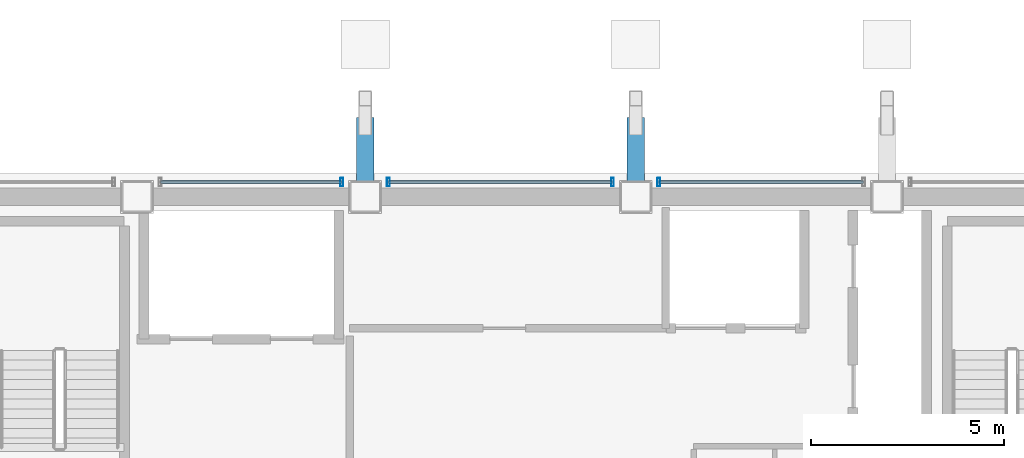
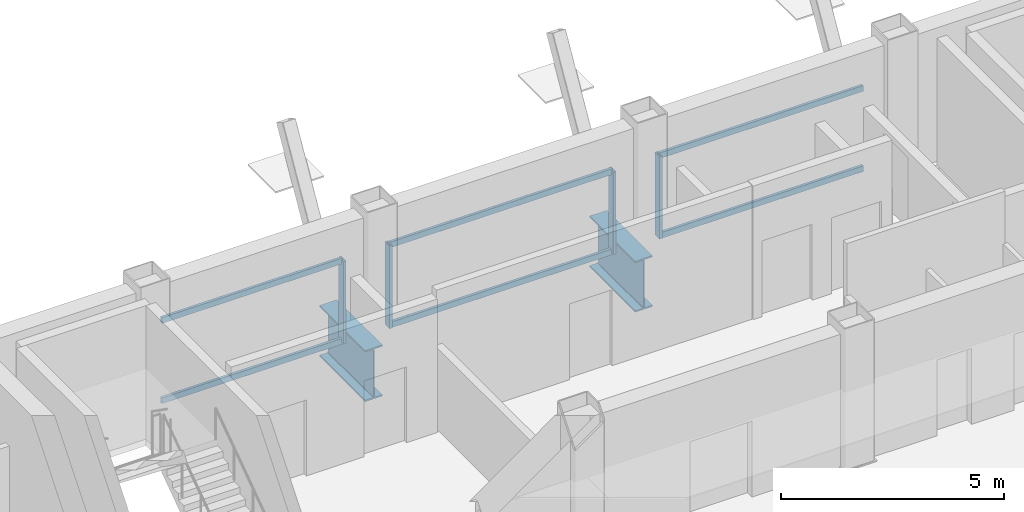
# One storey, part 9 of 16: 10 members, 2 beams, 3 elements without a shape of their own.
"""IFC4 building model written with IfcOpenShell, lengths in metres."""

from ifc_helpers import new_model, si_unit, direction, frame, origin, origin_2d, place, context, subcontext, project, spatial, hollow_rectangle, i_section, extrude, material, material_profile, profile_set, type_object, element, aggregate, save


model = new_model("IFC4")

# Units and contexts
model_context = context("Model", 3, precision=1e-05, world=origin(), true_north=direction((0.0, 1.0)))
body_context = subcontext(model_context, "Body", "Model", "MODEL_VIEW")
ifc_project = project(units=[si_unit("LENGTHUNIT", "METRE"), si_unit("AREAUNIT", "SQUARE_METRE"), si_unit("VOLUMEUNIT", "CUBIC_METRE"), si_unit("PLANEANGLEUNIT", "RADIAN"), si_unit("MASSUNIT", "GRAM", prefix="KILO")], contexts=[model_context])

# Site, building, storey
site_placement = place(None, origin())
site = spatial("IfcSite", under=ifc_project, at=site_placement, CompositionType="ELEMENT")
building_placement = place(site_placement, origin())
building = spatial("IfcBuilding", under=site, at=building_placement, Name="Noeulbin Bourse Tower", CompositionType="ELEMENT")
storey_placement = place(building_placement, frame((0.0, 0.0, 254.0)))
storey = spatial("IfcBuildingStorey", under=building, at=storey_placement, Name="L63", CompositionType="ELEMENT", Elevation=254.0)

# Beams
ifc_material_1 = material(Name="Steel S460", Category="steel")
ifc_material_profile_1 = material_profile(ifc_material_1, i_section(OverallWidth=0.449951171875, OverallDepth=1.39990234375, WebThickness=0.02392578125, FlangeThickness=0.0400390625, FilletRadius=0.02392578125, at=origin_2d()), Name="PG-1400x450x24x40", Category="LoadBearing")
ifc_profile_set_1 = profile_set([ifc_material_profile_1], Name="Steel S460")
beam_type = type_object("IfcBeamType", Name="BM-TRF-1400", PredefinedType="USERDEFINED", material=ifc_profile_set_1)
for number, where, z_axis, x_axis, name in (
    (1, (24.0, 38.300048828125, -0.8798828125), (0.0, 1.0, 0.0), (-1.0, 0.0, 0.0), "Transfer Outrigger Corbel L63-02"),
    (2, (31.0, 38.300048828125, -0.8798828125), (0.0, 1.0, 0.0), (-1.0, 0.0, 0.0), "Transfer Outrigger Corbel L63-03"),
):
    element("IfcBeam", number, at=place(storey_placement, frame(where, z_axis=z_axis, x_axis=x_axis)), inside=storey, type_object=beam_type, Name=name, ObjectType="GIRDER", PredefinedType="USERDEFINED", context=body_context, shape_type="SweptSolid", body=[
        extrude(i_section(OverallWidth=0.449951171875, OverallDepth=1.39990234375, WebThickness=0.02392578125, FlangeThickness=0.0400390625, FilletRadius=0.02392578125, at=origin_2d()), origin(), (0.0, 0.0, 1.0), 2.050048828125),
    ])

# Curtain wall, member
ifc_material_2 = material(Name="High-Selectivity Low-Iron Glazing", Category="glass")
curtain_wall_type = type_object("IfcCurtainWallType", Name="CW-SYS-4", PredefinedType="NOTDEFINED", material=ifc_material_2)
curtain_wall_1_placement = place(storey_placement, origin())
curtain_wall_1 = element("IfcCurtainWall", 3, at=curtain_wall_1_placement, inside=storey, type_object=curtain_wall_type, Name="Unitised Curtain Wall CW-L63-N-S3", PredefinedType="NOTDEFINED")
ifc_material_3 = material(Name="Anodised Aluminium 6063-T6", Category="aluminium")
ifc_material_profile_2 = material_profile(ifc_material_3, hollow_rectangle(XDim=0.074951171875, YDim=0.219970703125, WallThickness=0.0048828125, InnerFilletRadius=0.00244140625, OuterFilletRadius=0.0048828125, at=origin_2d()), Name="ALU-MULL-75x220x5", Category="LoadBearing")
ifc_profile_set_2 = profile_set([ifc_material_profile_2], Name="Anodised Aluminium 6063-T6")
member_type_1 = type_object("IfcMemberType", Name="CW-SYS-4-MUL", PredefinedType="MULLION", material=ifc_profile_set_2)
member_1_placement = place(storey_placement, frame((23.39990234375, 38.679931640625, -0.02001953125), z_axis=(0.0, 0.0, 1.0), x_axis=(1.0, 0.0, 0.0)))
member_1 = element("IfcMember", 4, at=member_1_placement, type_object=member_type_1, Name="Curtain Wall Mullion CW-L63-N-S3-M01", PredefinedType="MULLION", context=body_context, shape_type="SweptSolid", body=[
    extrude(hollow_rectangle(XDim=0.074951171875, YDim=0.219970703125, WallThickness=0.0048828125, InnerFilletRadius=0.00244140625, OuterFilletRadius=0.0048828125, at=origin_2d()), origin(), (0.0, 0.0, 1.0), 2.260009765625),
])

# Curtain wall, members
curtain_wall_2_placement = place(storey_placement, origin())
curtain_wall_2 = element("IfcCurtainWall", 5, at=curtain_wall_2_placement, inside=storey, type_object=curtain_wall_type, Name="Unitised Curtain Wall CW-L63-N-S4", PredefinedType="NOTDEFINED")
member_2_placement = place(storey_placement, frame((24.60009765625, 38.679931640625, -0.02001953125), z_axis=(0.0, 0.0, 1.0), x_axis=(1.0, 0.0, 0.0)))
member_2 = element("IfcMember", 6, at=member_2_placement, type_object=member_type_1, Name="Curtain Wall Mullion CW-L63-N-S4-M00", PredefinedType="MULLION", context=body_context, shape_type="SweptSolid", body=[
    extrude(hollow_rectangle(XDim=0.074951171875, YDim=0.219970703125, WallThickness=0.0048828125, InnerFilletRadius=0.00244140625, OuterFilletRadius=0.0048828125, at=origin_2d()), origin(), (0.0, 0.0, 1.0), 2.260009765625),
])
member_3_placement = place(storey_placement, frame((30.39990234375, 38.679931640625, -0.02001953125), z_axis=(0.0, 0.0, 1.0), x_axis=(1.0, 0.0, 0.0)))
member_3 = element("IfcMember", 7, at=member_3_placement, type_object=member_type_1, Name="Curtain Wall Mullion CW-L63-N-S4-M01", PredefinedType="MULLION", context=body_context, shape_type="SweptSolid", body=[
    extrude(hollow_rectangle(XDim=0.074951171875, YDim=0.219970703125, WallThickness=0.0048828125, InnerFilletRadius=0.00244140625, OuterFilletRadius=0.0048828125, at=origin_2d()), origin(), (0.0, 0.0, 1.0), 2.260009765625),
])

# Curtain wall, member
curtain_wall_3_placement = place(storey_placement, origin())
curtain_wall_3 = element("IfcCurtainWall", 8, at=curtain_wall_3_placement, inside=storey, type_object=curtain_wall_type, Name="Unitised Curtain Wall CW-L63-N-S5", PredefinedType="NOTDEFINED")
member_4_placement = place(storey_placement, frame((31.60009765625, 38.679931640625, -0.02001953125), z_axis=(0.0, 0.0, 1.0), x_axis=(1.0, 0.0, 0.0)))
member_4 = element("IfcMember", 9, at=member_4_placement, type_object=member_type_1, Name="Curtain Wall Mullion CW-L63-N-S5-M00", PredefinedType="MULLION", context=body_context, shape_type="SweptSolid", body=[
    extrude(hollow_rectangle(XDim=0.074951171875, YDim=0.219970703125, WallThickness=0.0048828125, InnerFilletRadius=0.00244140625, OuterFilletRadius=0.0048828125, at=origin_2d()), origin(), (0.0, 0.0, 1.0), 2.260009765625),
])

# Member
ifc_material_profile_3 = material_profile(ifc_material_3, hollow_rectangle(XDim=0.074951171875, YDim=0.159912109375, WallThickness=0.0048828125, InnerFilletRadius=0.00244140625, OuterFilletRadius=0.0048828125, at=origin_2d()), Name="ALU-TRAN-75x160x5", Category="LoadBearing")
ifc_profile_set_3 = profile_set([ifc_material_profile_3], Name="Anodised Aluminium 6063-T6")
member_type_2 = type_object("IfcMemberType", Name="CW-SYS-4-TRN", PredefinedType="USERDEFINED", material=ifc_profile_set_3)
member_5_placement = place(storey_placement, frame((18.7099609375, 38.679931640625, 0.010009765625), z_axis=(1.0, 0.0, 0.0), x_axis=(0.0, 1.0, 0.0)))
member_5 = element("IfcMember", 10, at=member_5_placement, type_object=member_type_2, Name="Curtain Wall Transom CW-L63-N-S3-T00", ObjectType="TRANSOM", PredefinedType="USERDEFINED", context=body_context, shape_type="SweptSolid", body=[
    extrude(hollow_rectangle(XDim=0.074951171875, YDim=0.159912109375, WallThickness=0.0048828125, InnerFilletRadius=0.00244140625, OuterFilletRadius=0.0048828125, at=origin_2d()), origin(), (0.0, 0.0, 1.0), 4.679931640625),
])

member_6_placement = place(storey_placement, frame((18.7099609375, 38.679931640625, 2.2099609375), z_axis=(1.0, 0.0, 0.0), x_axis=(0.0, 1.0, 0.0)))
member_6 = element("IfcMember", 11, at=member_6_placement, type_object=member_type_2, Name="Curtain Wall Transom CW-L63-N-S3-T01", ObjectType="TRANSOM", PredefinedType="USERDEFINED", context=body_context, shape_type="SweptSolid", body=[
    extrude(hollow_rectangle(XDim=0.074951171875, YDim=0.159912109375, WallThickness=0.0048828125, InnerFilletRadius=0.00244140625, OuterFilletRadius=0.0048828125, at=origin_2d()), origin(), (0.0, 0.0, 1.0), 4.679931640625),
])

aggregate(curtain_wall_1, [member_1, member_5, member_6])

member_7_placement = place(storey_placement, frame((24.610107421875, 38.679931640625, 0.010009765625), z_axis=(1.0, 0.0, 0.0), x_axis=(0.0, 1.0, 0.0)))
member_7 = element("IfcMember", 12, at=member_7_placement, type_object=member_type_2, Name="Curtain Wall Transom CW-L63-N-S4-T00", ObjectType="TRANSOM", PredefinedType="USERDEFINED", context=body_context, shape_type="SweptSolid", body=[
    extrude(hollow_rectangle(XDim=0.074951171875, YDim=0.159912109375, WallThickness=0.0048828125, InnerFilletRadius=0.00244140625, OuterFilletRadius=0.0048828125, at=origin_2d()), origin(), (0.0, 0.0, 1.0), 5.77978515625),
])

member_8_placement = place(storey_placement, frame((24.610107421875, 38.679931640625, 2.2099609375), z_axis=(1.0, 0.0, 0.0), x_axis=(0.0, 1.0, 0.0)))
member_8 = element("IfcMember", 13, at=member_8_placement, type_object=member_type_2, Name="Curtain Wall Transom CW-L63-N-S4-T01", ObjectType="TRANSOM", PredefinedType="USERDEFINED", context=body_context, shape_type="SweptSolid", body=[
    extrude(hollow_rectangle(XDim=0.074951171875, YDim=0.159912109375, WallThickness=0.0048828125, InnerFilletRadius=0.00244140625, OuterFilletRadius=0.0048828125, at=origin_2d()), origin(), (0.0, 0.0, 1.0), 5.77978515625),
])

aggregate(curtain_wall_2, [member_2, member_3, member_7, member_8])

member_9_placement = place(storey_placement, frame((31.610107421875, 38.679931640625, 0.010009765625), z_axis=(1.0, 0.0, 0.0), x_axis=(0.0, 1.0, 0.0)))
member_9 = element("IfcMember", 14, at=member_9_placement, type_object=member_type_2, Name="Curtain Wall Transom CW-L63-N-S5-T00", ObjectType="TRANSOM", PredefinedType="USERDEFINED", context=body_context, shape_type="SweptSolid", body=[
    extrude(hollow_rectangle(XDim=0.074951171875, YDim=0.159912109375, WallThickness=0.0048828125, InnerFilletRadius=0.00244140625, OuterFilletRadius=0.0048828125, at=origin_2d()), origin(), (0.0, 0.0, 1.0), 5.27978515625),
])

member_10_placement = place(storey_placement, frame((31.610107421875, 38.679931640625, 2.2099609375), z_axis=(1.0, 0.0, 0.0), x_axis=(0.0, 1.0, 0.0)))
member_10 = element("IfcMember", 15, at=member_10_placement, type_object=member_type_2, Name="Curtain Wall Transom CW-L63-N-S5-T01", ObjectType="TRANSOM", PredefinedType="USERDEFINED", context=body_context, shape_type="SweptSolid", body=[
    extrude(hollow_rectangle(XDim=0.074951171875, YDim=0.159912109375, WallThickness=0.0048828125, InnerFilletRadius=0.00244140625, OuterFilletRadius=0.0048828125, at=origin_2d()), origin(), (0.0, 0.0, 1.0), 5.27978515625),
])

aggregate(curtain_wall_3, [member_4, member_9, member_10])

save(model, "model.ifc")
